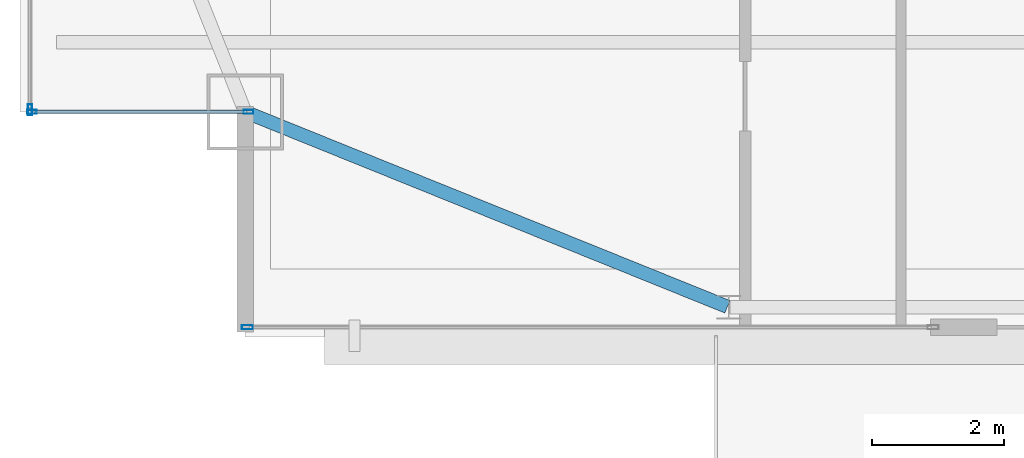
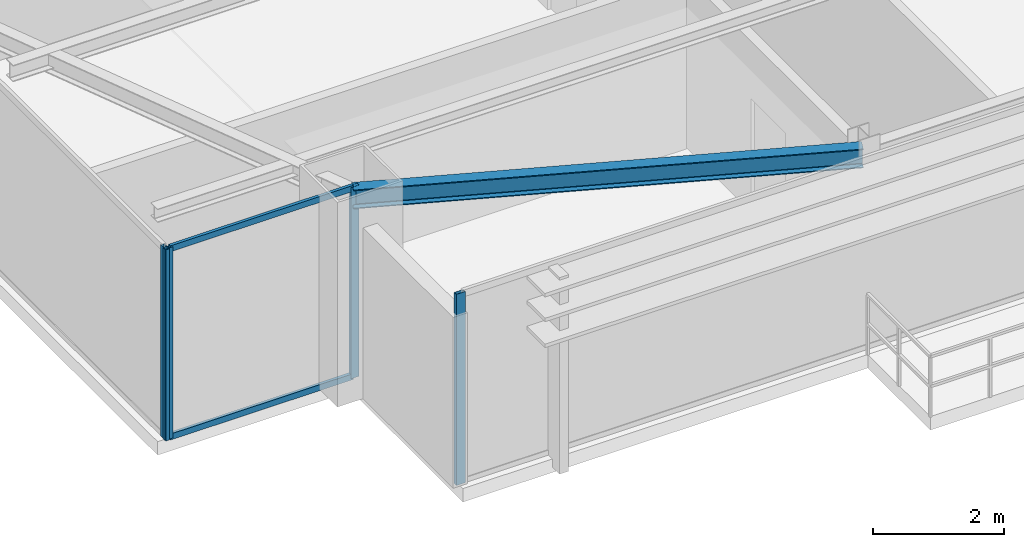
# One storey, part 4 of 30: 6 members, 1 beam, 3 elements without a shape of their own.
"""IFC4 building model written with IfcOpenShell, lengths in metres."""

from ifc_helpers import new_model, si_unit, direction, frame, origin, origin_2d, place, context, subcontext, project, spatial, hollow_rectangle, i_section, extrude, source, transform, mapped, material, layer, layer_set, material_profile, profile_set, type_object, type_shapes, element, aggregate, save


model = new_model("IFC4")

# Units and contexts
model_context = context("Model", 3, precision=1e-05, world=origin(), true_north=direction((0.0, 1.0)))
body_context = subcontext(model_context, "Body", "Model", "MODEL_VIEW")
ifc_project = project(units=[si_unit("LENGTHUNIT", "METRE"), si_unit("AREAUNIT", "SQUARE_METRE"), si_unit("VOLUMEUNIT", "CUBIC_METRE"), si_unit("PLANEANGLEUNIT", "RADIAN"), si_unit("MASSUNIT", "GRAM", prefix="KILO")], contexts=[model_context])

# Site, building, storey
site_placement = place(None, origin())
site = spatial("IfcSite", under=ifc_project, at=site_placement, CompositionType="ELEMENT")
building_placement = place(site_placement, origin())
building = spatial("IfcBuilding", under=site, at=building_placement, Name="Varnel Quay Broadcast Tower", CompositionType="ELEMENT")
storey_placement = place(building_placement, frame((0.0, 0.0, 207.39990234375)))
storey = spatial("IfcBuildingStorey", under=building, at=storey_placement, Name="L51", CompositionType="ELEMENT", Elevation=207.39990234375)

# Beam
ifc_material_1 = material(Name="Structural Steel CSA G40.21 350W", Category="steel")
ifc_material_profile_1 = material_profile(ifc_material_1, i_section(OverallWidth=0.205078125, OverallDepth=0.35400390625, WebThickness=0.009521484375, FlangeThickness=0.016845703125, FilletRadius=0.012939453125, at=origin_2d()), Name="W360X79")
ifc_profile_set_1 = profile_set([ifc_material_profile_1], Name="Structural Steel CSA G40.21 350W")
beam_type = type_object("IfcBeamType", Name="Beam_W360X79", PredefinedType="SPANDREL", material=ifc_profile_set_1)
shared_shape_1 = source(origin(), body_context, "Body", "SweptSolid", [
    extrude(i_section(OverallWidth=0.205078125, OverallDepth=0.35400390625, WebThickness=0.009521484375, FlangeThickness=0.016845703125, FilletRadius=0.012939453125, at=origin_2d()), origin(), (0.0, 0.0, 1.0), 7.83349609375),
])
type_shapes(beam_type, [shared_shape_1])
beam_placement = place(storey_placement, frame((12.91845703125, 13.592529296875, 3.373046875), z_axis=(0.927155449606, -0.374676890489, 0.0), x_axis=(0.374676890489, 0.927155449606, 0.0)))
element("IfcBeam", 1, at=beam_placement, inside=storey, type_object=beam_type, Name="L51 South Spandrel MC-SW-TC-S1", PredefinedType="SPANDREL", context=body_context, shape_type="MappedRepresentation", body=[
    mapped(shared_shape_1, transform((0.0, 0.0, 0.0), x_axis=(1.0, 0.0, 0.0), y_axis=(0.0, 1.0, 0.0), z_axis=(0.0, 0.0, 1.0), scale=1.0)),
])

# Curtain wall, members
ifc_material_2 = material(Name="Anodised Bronze Aluminium 6063-T6", Category="aluminium")
ifc_layer_1 = layer(ifc_material_2, 0.18994140625, Name="Anodised Bronze Aluminium 6063-T6")
ifc_layer_set_1 = layer_set([ifc_layer_1], Name="Anodised Bronze Aluminium 6063-T6")
curtain_wall_type_1 = type_object("IfcCurtainWallType", Name="CW_NotchCorner", PredefinedType="NOTDEFINED", material=ifc_layer_set_1)
curtain_wall_1_placement = place(storey_placement, origin())
curtain_wall_1 = element("IfcCurtainWall", 2, at=curtain_wall_1_placement, inside=storey, type_object=curtain_wall_type_1, Name="L51 SW Notch Curtain Wall", PredefinedType="NOTDEFINED")
ifc_material_profile_2 = material_profile(ifc_material_2, hollow_rectangle(XDim=0.06005859375, YDim=0.14501953125, WallThickness=0.00341796875, at=origin_2d()), Name="ALU60X145X3.5")
ifc_profile_set_2 = profile_set([ifc_material_profile_2], Name="Anodised Bronze Aluminium 6063-T6")
member_type_1 = type_object("IfcMemberType", Name="Mull_CWS-04", PredefinedType="MULLION", material=ifc_profile_set_2)
shared_shape_2 = source(origin(), body_context, "Body", "SweptSolid", [
    extrude(hollow_rectangle(XDim=0.06005859375, YDim=0.14501953125, WallThickness=0.00341796875, at=origin_2d()), origin(), (0.0, 0.0, 1.0), 3.550048828125),
])
type_shapes(member_type_1, [shared_shape_2])
member_1_placement = place(storey_placement, frame((9.679931640625, 13.60009765625, 0.0), z_axis=(0.0, 0.0, 1.0), x_axis=(0.0, 1.0, 0.0)))
member_1 = element("IfcMember", 3, at=member_1_placement, type_object=member_type_1, Name="CWS-04 mullion 1", PredefinedType="MULLION", context=body_context, shape_type="MappedRepresentation", body=[
    mapped(shared_shape_2, transform((0.0, 0.0, 0.0), x_axis=(1.0, 0.0, 0.0), y_axis=(0.0, 1.0, 0.0), z_axis=(0.0, 0.0, 1.0), scale=1.0)),
])
member_2_placement = place(storey_placement, frame((12.949951171875, 13.60009765625, 0.0), z_axis=(0.0, 0.0, 1.0), x_axis=(0.0, 1.0, 0.0)))
member_2 = element("IfcMember", 4, at=member_2_placement, type_object=member_type_1, Name="CWS-04 mullion 2", PredefinedType="MULLION", context=body_context, shape_type="MappedRepresentation", body=[
    mapped(shared_shape_2, transform((0.0, 0.0, 0.0), x_axis=(1.0, 0.0, 0.0), y_axis=(0.0, 1.0, 0.0), z_axis=(0.0, 0.0, 1.0), scale=1.0)),
])

# Curtain wall, member
ifc_layer_2 = layer(ifc_material_2, 0.18994140625, Name="Anodised Bronze Aluminium 6063-T6")
ifc_layer_set_2 = layer_set([ifc_layer_2], Name="Anodised Bronze Aluminium 6063-T6")
curtain_wall_type_2 = type_object("IfcCurtainWallType", Name="CW_UpperTower", PredefinedType="NOTDEFINED", material=ifc_layer_set_2)
curtain_wall_2_placement = place(storey_placement, origin())
curtain_wall_2 = element("IfcCurtainWall", 5, at=curtain_wall_2_placement, inside=storey, type_object=curtain_wall_type_2, Name="L51 South Unitised Curtain Wall 1", PredefinedType="NOTDEFINED")
ifc_material_profile_3 = material_profile(ifc_material_2, hollow_rectangle(XDim=0.06494140625, YDim=0.1650390625, WallThickness=0.00341796875, at=origin_2d()), Name="ALU65X165X3.5")
ifc_profile_set_3 = profile_set([ifc_material_profile_3], Name="Anodised Bronze Aluminium 6063-T6")
member_type_2 = type_object("IfcMemberType", Name="Mull_CWS-03", PredefinedType="MULLION", material=ifc_profile_set_3)
shared_shape_3 = source(origin(), body_context, "Body", "SweptSolid", [
    extrude(hollow_rectangle(XDim=0.06494140625, YDim=0.1650390625, WallThickness=0.00341796875, at=origin_2d()), origin(), (0.0, 0.0, 1.0), 3.550048828125),
])
type_shapes(member_type_2, [shared_shape_3])
member_3_placement = place(storey_placement, frame((12.9326171875, 10.35009765625, 0.0), z_axis=(0.0, 0.0, 1.0), x_axis=(0.0, 1.0, 0.0)))
member_3 = element("IfcMember", 6, at=member_3_placement, type_object=member_type_2, Name="CWS-03 mullion 1", PredefinedType="MULLION", context=body_context, shape_type="MappedRepresentation", body=[
    mapped(shared_shape_3, transform((0.0, 0.0, 0.0), x_axis=(1.0, 0.0, 0.0), y_axis=(0.0, 1.0, 0.0), z_axis=(0.0, 0.0, 1.0), scale=1.0)),
])
aggregate(curtain_wall_2, [member_3])

curtain_wall_3_placement = place(storey_placement, origin())
curtain_wall_3 = element("IfcCurtainWall", 7, at=curtain_wall_3_placement, inside=storey, type_object=curtain_wall_type_2, Name="L51 West Unitised Curtain Wall", PredefinedType="NOTDEFINED")
member_4_placement = place(storey_placement, frame((9.64990234375, 13.632568359375, 0.0), z_axis=(0.0, 0.0, 1.0), x_axis=(-1.0, 0.0, 0.0)))
member_4 = element("IfcMember", 8, at=member_4_placement, type_object=member_type_2, Name="CWS-03 mullion 1", PredefinedType="MULLION", context=body_context, shape_type="MappedRepresentation", body=[
    mapped(shared_shape_3, transform((0.0, 0.0, 0.0), x_axis=(1.0, 0.0, 0.0), y_axis=(0.0, 1.0, 0.0), z_axis=(0.0, 0.0, 1.0), scale=1.0)),
])
aggregate(curtain_wall_3, [member_4])

# Member
ifc_material_profile_4 = material_profile(ifc_material_2, hollow_rectangle(XDim=0.054931640625, YDim=0.110107421875, WallThickness=0.0029296875, at=origin_2d()), Name="ALU55X110X3")
ifc_profile_set_4 = profile_set([ifc_material_profile_4], Name="Anodised Bronze Aluminium 6063-T6")
member_type_3 = type_object("IfcMemberType", Name="Tran_CWS-04", PredefinedType="USERDEFINED", material=ifc_profile_set_4)
shared_shape_4 = source(origin(), body_context, "Body", "SweptSolid", [
    extrude(hollow_rectangle(XDim=0.054931640625, YDim=0.110107421875, WallThickness=0.0029296875, at=origin_2d()), origin(), (0.0, 0.0, 1.0), 3.2099609375),
])
type_shapes(member_type_3, [shared_shape_4])
member_5_placement = place(storey_placement, frame((9.7099609375, 13.60009765625, 0.027587890625), z_axis=(1.0, 0.0, 0.0), x_axis=(0.0, 1.0, 0.0)))
member_5 = element("IfcMember", 9, at=member_5_placement, type_object=member_type_3, Name="CWS-04 transom 1.1", ObjectType="TRANSOM", PredefinedType="USERDEFINED", context=body_context, shape_type="MappedRepresentation", body=[
    mapped(shared_shape_4, transform((0.0, 0.0, 0.0), x_axis=(1.0, 0.0, 0.0), y_axis=(0.0, 1.0, 0.0), z_axis=(0.0, 0.0, 1.0), scale=1.0)),
])

member_6_placement = place(storey_placement, frame((9.7099609375, 13.60009765625, 3.522705078125), z_axis=(1.0, 0.0, 0.0), x_axis=(0.0, 1.0, 0.0)))
member_6 = element("IfcMember", 10, at=member_6_placement, type_object=member_type_3, Name="CWS-04 transom 1.2", ObjectType="TRANSOM", PredefinedType="USERDEFINED", context=body_context, shape_type="MappedRepresentation", body=[
    mapped(shared_shape_4, transform((0.0, 0.0, 0.0), x_axis=(1.0, 0.0, 0.0), y_axis=(0.0, 1.0, 0.0), z_axis=(0.0, 0.0, 1.0), scale=1.0)),
])

aggregate(curtain_wall_1, [member_1, member_2, member_5, member_6])

save(model, "model.ifc")
